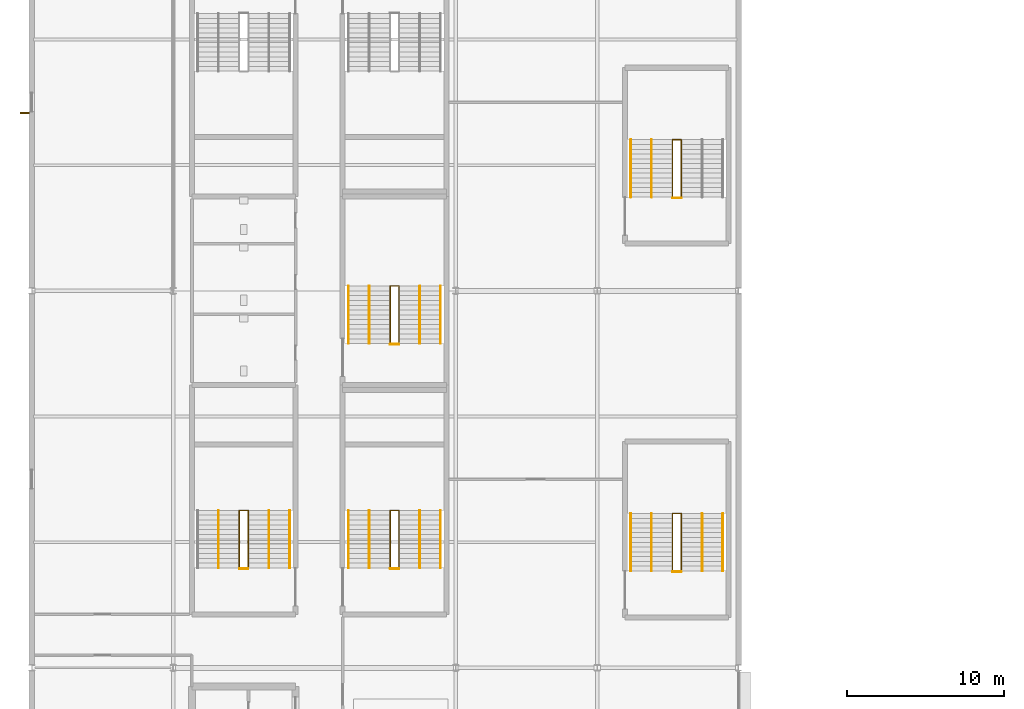
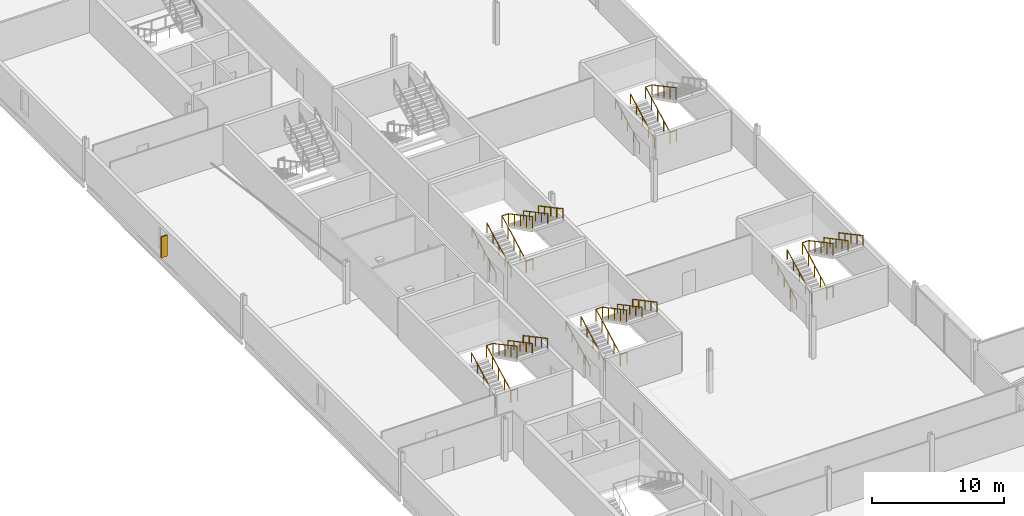
# One storey, part 90 of 98: 27 railings, 1 shading device.
"""IFC4 building model written with IfcOpenShell, lengths in metres."""

from ifc_helpers import new_model, si_unit, direction, frame, origin, origin_2d, place, context, subcontext, project, spatial, rectangle, circle, extrude, material, type_object, element, save


model = new_model("IFC4")

# Units and contexts
model_context = context("Model", 3, precision=1e-05, world=origin(), true_north=direction((0.0, 1.0)))
body_context = subcontext(model_context, "Body", "Model", "MODEL_VIEW")
ifc_project = project(units=[si_unit("LENGTHUNIT", "METRE"), si_unit("AREAUNIT", "SQUARE_METRE"), si_unit("VOLUMEUNIT", "CUBIC_METRE"), si_unit("PLANEANGLEUNIT", "RADIAN"), si_unit("MASSUNIT", "GRAM", prefix="KILO")], contexts=[model_context])

# Site, building, storey
site_placement = place(None, origin())
site = spatial("IfcSite", under=ifc_project, at=site_placement, CompositionType="ELEMENT")
building_placement = place(site_placement, origin())
building = spatial("IfcBuilding", under=site, at=building_placement, Name="Kisiwana Market Hall", CompositionType="ELEMENT")
storey_placement = place(building_placement, frame((0.0, 0.0, 29.39990234375)))
storey = spatial("IfcBuildingStorey", under=building, at=storey_placement, Name="L06", CompositionType="ELEMENT", Elevation=29.39990234375)

# Railings
ifc_material_1 = material(Name="Steel S275", Category="steel")
railing_type_1 = type_object("IfcRailingType", Name="RL-GUARD-1100", PredefinedType="GUARDRAIL", material=ifc_material_1)
railing_1_placement = place(storey_placement, frame((13.219970703125, 42.360107421875, 0.0)))
element("IfcRailing", 1, at=railing_1_placement, inside=storey, type_object=railing_type_1, Name="Stair ST-W3-L06 inner-well guardrail (RL-967)", PredefinedType="GUARDRAIL", context=body_context, shape_type="SweptSolid", body=[
    extrude(circle(Radius=0.02392578125, at=origin_2d()), frame((0.0, 0.0, 1.076171875), z_axis=(0.0, 0.882528880096, 0.470258201201), x_axis=(-1.0, 0.0, 0.0)), (0.0, 0.0, 1.0), 4.14697265625),
    extrude(circle(Radius=0.02392578125, at=origin_2d()), frame((0.0, 3.659912109375, 3.0263671875), z_axis=(1.0, 0.0, 0.0), x_axis=(0.0, 1.0, 0.0)), (0.0, 0.0, 1.0), 0.56005859375),
    extrude(circle(Radius=0.02392578125, at=origin_2d()), frame((0.56005859375, 3.659912109375, 3.0263671875), z_axis=(0.0, -0.88255331184, 0.47021234752), x_axis=(1.0, 0.0, 0.0)), (0.0, 0.0, 1.0), 4.14697265625),
    extrude(circle(Radius=0.02099609375, at=origin_2d()), origin(), (0.0, 0.0, 1.0), 1.052001953125),
    extrude(circle(Radius=0.02099609375, at=origin_2d()), frame((0.0, 0.9150390625, 0.487548828125)), (0.0, 0.0, 1.0), 1.052001953125),
    extrude(circle(Radius=0.02099609375, at=origin_2d()), frame((0.0, 1.830078125, 0.97509765625)), (0.0, 0.0, 1.0), 1.052001953125),
    extrude(circle(Radius=0.02099609375, at=origin_2d()), frame((0.0, 2.744873046875, 1.462646484375)), (0.0, 0.0, 1.0), 1.052001953125),
    extrude(circle(Radius=0.02099609375, at=origin_2d()), frame((0.0, 3.659912109375, 1.9501953125)), (0.0, 0.0, 1.0), 1.052001953125),
    extrude(circle(Radius=0.02099609375, at=origin_2d()), frame((0.56005859375, 3.659912109375, 1.9501953125)), (0.0, 0.0, 1.0), 1.052001953125),
    extrude(circle(Radius=0.02099609375, at=origin_2d()), frame((0.56005859375, 2.744873046875, 2.437744140625)), (0.0, 0.0, 1.0), 1.052001953125),
    extrude(circle(Radius=0.02099609375, at=origin_2d()), frame((0.56005859375, 1.830078125, 2.92529296875)), (0.0, 0.0, 1.0), 1.052001953125),
    extrude(circle(Radius=0.02099609375, at=origin_2d()), frame((0.56005859375, 0.9150390625, 3.41259765625)), (0.0, 0.0, 1.0), 1.052001953125),
    extrude(circle(Radius=0.02099609375, at=origin_2d()), frame((0.56005859375, 0.0, 3.900146484375)), (0.0, 0.0, 1.0), 1.052001953125),
])
railing_2_placement = place(storey_placement, frame((13.219970703125, 42.31005859375, 0.0)))
element("IfcRailing", 2, at=railing_2_placement, inside=storey, type_object=railing_type_1, Name="Stair ST-W3-L06 landing edge guardrail (RL-972)", PredefinedType="GUARDRAIL", context=body_context, shape_type="SweptSolid", body=[
    extrude(circle(Radius=0.02392578125, at=origin_2d()), frame((0.0, 0.0, 1.076171875), z_axis=(1.0, 0.0, 0.0), x_axis=(0.0, 1.0, 0.0)), (0.0, 0.0, 1.0), 0.56005859375),
    extrude(circle(Radius=0.02099609375, at=origin_2d()), origin(), (0.0, 0.0, 1.0), 1.052001953125),
    extrude(circle(Radius=0.02099609375, at=origin_2d()), frame((0.56005859375, 0.0, 0.0)), (0.0, 0.0, 1.0), 1.052001953125),
])
railing_3_placement = place(storey_placement, frame((22.820068359375, 42.360107421875, 0.0)))
element("IfcRailing", 3, at=railing_3_placement, inside=storey, type_object=railing_type_1, Name="Stair ST-W7-L06 inner-well guardrail (RL-991)", PredefinedType="GUARDRAIL", context=body_context, shape_type="SweptSolid", body=[
    extrude(circle(Radius=0.02392578125, at=origin_2d()), frame((0.0, 0.0, 1.076171875), z_axis=(0.0, 0.882528880096, 0.470258201201), x_axis=(-1.0, 0.0, 0.0)), (0.0, 0.0, 1.0), 4.14697265625),
    extrude(circle(Radius=0.02392578125, at=origin_2d()), frame((0.0, 3.659912109375, 3.0263671875), z_axis=(1.0, 0.0, 0.0), x_axis=(0.0, 1.0, 0.0)), (0.0, 0.0, 1.0), 0.559814453125),
    extrude(circle(Radius=0.02392578125, at=origin_2d()), frame((0.559814453125, 3.659912109375, 3.0263671875), z_axis=(0.0, -0.88255331184, 0.47021234752), x_axis=(1.0, 0.0, 0.0)), (0.0, 0.0, 1.0), 4.14697265625),
    extrude(circle(Radius=0.02099609375, at=origin_2d()), origin(), (0.0, 0.0, 1.0), 1.052001953125),
    extrude(circle(Radius=0.02099609375, at=origin_2d()), frame((0.0, 0.9150390625, 0.487548828125)), (0.0, 0.0, 1.0), 1.052001953125),
    extrude(circle(Radius=0.02099609375, at=origin_2d()), frame((0.0, 1.830078125, 0.97509765625)), (0.0, 0.0, 1.0), 1.052001953125),
    extrude(circle(Radius=0.02099609375, at=origin_2d()), frame((0.0, 2.744873046875, 1.462646484375)), (0.0, 0.0, 1.0), 1.052001953125),
    extrude(circle(Radius=0.02099609375, at=origin_2d()), frame((0.0, 3.659912109375, 1.9501953125)), (0.0, 0.0, 1.0), 1.052001953125),
    extrude(circle(Radius=0.02099609375, at=origin_2d()), frame((0.559814453125, 3.659912109375, 1.9501953125)), (0.0, 0.0, 1.0), 1.052001953125),
    extrude(circle(Radius=0.02099609375, at=origin_2d()), frame((0.559814453125, 2.744873046875, 2.437744140625)), (0.0, 0.0, 1.0), 1.052001953125),
    extrude(circle(Radius=0.02099609375, at=origin_2d()), frame((0.559814453125, 1.830078125, 2.92529296875)), (0.0, 0.0, 1.0), 1.052001953125),
    extrude(circle(Radius=0.02099609375, at=origin_2d()), frame((0.559814453125, 0.9150390625, 3.41259765625)), (0.0, 0.0, 1.0), 1.052001953125),
    extrude(circle(Radius=0.02099609375, at=origin_2d()), frame((0.559814453125, 0.0, 3.900146484375)), (0.0, 0.0, 1.0), 1.052001953125),
])
railing_4_placement = place(storey_placement, frame((22.820068359375, 42.31005859375, 0.0)))
element("IfcRailing", 4, at=railing_4_placement, inside=storey, type_object=railing_type_1, Name="Stair ST-W7-L06 landing edge guardrail (RL-996)", PredefinedType="GUARDRAIL", context=body_context, shape_type="SweptSolid", body=[
    extrude(circle(Radius=0.02392578125, at=origin_2d()), frame((0.0, 0.0, 1.076171875), z_axis=(1.0, 0.0, 0.0), x_axis=(0.0, 1.0, 0.0)), (0.0, 0.0, 1.0), 0.559814453125),
    extrude(circle(Radius=0.02099609375, at=origin_2d()), origin(), (0.0, 0.0, 1.0), 1.052001953125),
    extrude(circle(Radius=0.02099609375, at=origin_2d()), frame((0.559814453125, 0.0, 0.0)), (0.0, 0.0, 1.0), 1.052001953125),
])
railing_5_placement = place(storey_placement, frame((40.7900390625, 42.159912109375, 0.0)))
element("IfcRailing", 5, at=railing_5_placement, inside=storey, type_object=railing_type_1, Name="Stair ST-W9-L06 inner-well guardrail (RL-1015)", PredefinedType="GUARDRAIL", context=body_context, shape_type="SweptSolid", body=[
    extrude(circle(Radius=0.02392578125, at=origin_2d()), frame((0.0, 0.0, 1.076171875), z_axis=(0.0, 0.882541897885, 0.470233770031), x_axis=(-1.0, 0.0, 0.0)), (0.0, 0.0, 1.0), 4.147216796875),
    extrude(circle(Radius=0.02392578125, at=origin_2d()), frame((0.0, 3.66015625, 3.0263671875), z_axis=(1.0, 0.0, 0.0), x_axis=(0.0, 1.0, 0.0)), (0.0, 0.0, 1.0), 0.56005859375),
    extrude(circle(Radius=0.02392578125, at=origin_2d()), frame((0.56005859375, 3.66015625, 3.0263671875), z_axis=(0.0, -0.882566327451, 0.470187917379), x_axis=(1.0, 0.0, 0.0)), (0.0, 0.0, 1.0), 4.147216796875),
    extrude(circle(Radius=0.02099609375, at=origin_2d()), origin(), (0.0, 0.0, 1.0), 1.052001953125),
    extrude(circle(Radius=0.02099609375, at=origin_2d()), frame((0.0, 0.9150390625, 0.487548828125)), (0.0, 0.0, 1.0), 1.052001953125),
    extrude(circle(Radius=0.02099609375, at=origin_2d()), frame((0.0, 1.830078125, 0.97509765625)), (0.0, 0.0, 1.0), 1.052001953125),
    extrude(circle(Radius=0.02099609375, at=origin_2d()), frame((0.0, 2.7451171875, 1.462646484375)), (0.0, 0.0, 1.0), 1.052001953125),
    extrude(circle(Radius=0.02099609375, at=origin_2d()), frame((0.0, 3.66015625, 1.9501953125)), (0.0, 0.0, 1.0), 1.052001953125),
    extrude(circle(Radius=0.02099609375, at=origin_2d()), frame((0.56005859375, 3.66015625, 1.9501953125)), (0.0, 0.0, 1.0), 1.052001953125),
    extrude(circle(Radius=0.02099609375, at=origin_2d()), frame((0.56005859375, 2.7451171875, 2.437744140625)), (0.0, 0.0, 1.0), 1.052001953125),
    extrude(circle(Radius=0.02099609375, at=origin_2d()), frame((0.56005859375, 1.830078125, 2.92529296875)), (0.0, 0.0, 1.0), 1.052001953125),
    extrude(circle(Radius=0.02099609375, at=origin_2d()), frame((0.56005859375, 0.9150390625, 3.41259765625)), (0.0, 0.0, 1.0), 1.052001953125),
    extrude(circle(Radius=0.02099609375, at=origin_2d()), frame((0.56005859375, 0.0, 3.900146484375)), (0.0, 0.0, 1.0), 1.052001953125),
])
railing_6_placement = place(storey_placement, frame((40.7900390625, 42.110107421875, 0.0)))
element("IfcRailing", 6, at=railing_6_placement, inside=storey, type_object=railing_type_1, Name="Stair ST-W9-L06 landing edge guardrail (RL-1020)", PredefinedType="GUARDRAIL", context=body_context, shape_type="SweptSolid", body=[
    extrude(circle(Radius=0.02392578125, at=origin_2d()), frame((0.0, 0.0, 1.076171875), z_axis=(1.0, 0.0, 0.0), x_axis=(0.0, 1.0, 0.0)), (0.0, 0.0, 1.0), 0.56005859375),
    extrude(circle(Radius=0.02099609375, at=origin_2d()), origin(), (0.0, 0.0, 1.0), 1.052001953125),
    extrude(circle(Radius=0.02099609375, at=origin_2d()), frame((0.56005859375, 0.0, 0.0)), (0.0, 0.0, 1.0), 1.052001953125),
])
railing_7_placement = place(storey_placement, frame((40.7900390625, 65.9599609375, 0.0)))
element("IfcRailing", 7, at=railing_7_placement, inside=storey, type_object=railing_type_1, Name="Stair ST-W10-L06 inner-well guardrail (RL-1027)", PredefinedType="GUARDRAIL", context=body_context, shape_type="SweptSolid", body=[
    extrude(circle(Radius=0.02392578125, at=origin_2d()), frame((0.0, 0.0, 1.076171875), z_axis=(0.0, 0.882541897885, 0.470233770031), x_axis=(-1.0, 0.0, 0.0)), (0.0, 0.0, 1.0), 4.147216796875),
    extrude(circle(Radius=0.02392578125, at=origin_2d()), frame((0.0, 3.66015625, 3.0263671875), z_axis=(1.0, 0.0, 0.0), x_axis=(0.0, 1.0, 0.0)), (0.0, 0.0, 1.0), 0.56005859375),
    extrude(circle(Radius=0.02392578125, at=origin_2d()), frame((0.56005859375, 3.66015625, 3.0263671875), z_axis=(0.0, -0.882566327451, 0.470187917379), x_axis=(1.0, 0.0, 0.0)), (0.0, 0.0, 1.0), 4.147216796875),
    extrude(circle(Radius=0.02099609375, at=origin_2d()), origin(), (0.0, 0.0, 1.0), 1.052001953125),
    extrude(circle(Radius=0.02099609375, at=origin_2d()), frame((0.0, 0.9150390625, 0.487548828125)), (0.0, 0.0, 1.0), 1.052001953125),
    extrude(circle(Radius=0.02099609375, at=origin_2d()), frame((0.0, 1.830078125, 0.97509765625)), (0.0, 0.0, 1.0), 1.052001953125),
    extrude(circle(Radius=0.02099609375, at=origin_2d()), frame((0.0, 2.7451171875, 1.462646484375)), (0.0, 0.0, 1.0), 1.052001953125),
    extrude(circle(Radius=0.02099609375, at=origin_2d()), frame((0.0, 3.66015625, 1.9501953125)), (0.0, 0.0, 1.0), 1.052001953125),
    extrude(circle(Radius=0.02099609375, at=origin_2d()), frame((0.56005859375, 3.66015625, 1.9501953125)), (0.0, 0.0, 1.0), 1.052001953125),
    extrude(circle(Radius=0.02099609375, at=origin_2d()), frame((0.56005859375, 2.7451171875, 2.437744140625)), (0.0, 0.0, 1.0), 1.052001953125),
    extrude(circle(Radius=0.02099609375, at=origin_2d()), frame((0.56005859375, 1.830078125, 2.92529296875)), (0.0, 0.0, 1.0), 1.052001953125),
    extrude(circle(Radius=0.02099609375, at=origin_2d()), frame((0.56005859375, 0.9150390625, 3.41259765625)), (0.0, 0.0, 1.0), 1.052001953125),
    extrude(circle(Radius=0.02099609375, at=origin_2d()), frame((0.56005859375, 0.0, 3.900146484375)), (0.0, 0.0, 1.0), 1.052001953125),
])
railing_8_placement = place(storey_placement, frame((40.7900390625, 65.909912109375, 0.0)))
element("IfcRailing", 8, at=railing_8_placement, inside=storey, type_object=railing_type_1, Name="Stair ST-W10-L06 landing edge guardrail (RL-1032)", PredefinedType="GUARDRAIL", context=body_context, shape_type="SweptSolid", body=[
    extrude(circle(Radius=0.02392578125, at=origin_2d()), frame((0.0, 0.0, 1.076171875), z_axis=(1.0, 0.0, 0.0), x_axis=(0.0, 1.0, 0.0)), (0.0, 0.0, 1.0), 0.56005859375),
    extrude(circle(Radius=0.02099609375, at=origin_2d()), origin(), (0.0, 0.0, 1.0), 1.052001953125),
    extrude(circle(Radius=0.02099609375, at=origin_2d()), frame((0.56005859375, 0.0, 0.0)), (0.0, 0.0, 1.0), 1.052001953125),
])
railing_9_placement = place(storey_placement, frame((22.820068359375, 56.639892578125, 0.0)))
element("IfcRailing", 9, at=railing_9_placement, inside=storey, type_object=railing_type_1, Name="Stair ST-W5-L06 inner-well guardrail (RL-1039)", PredefinedType="GUARDRAIL", context=body_context, shape_type="SweptSolid", body=[
    extrude(circle(Radius=0.02392578125, at=origin_2d()), frame((0.0, 0.0, 1.076171875), z_axis=(0.0, 0.882541897885, 0.470233770031), x_axis=(-1.0, 0.0, 0.0)), (0.0, 0.0, 1.0), 4.147216796875),
    extrude(circle(Radius=0.02392578125, at=origin_2d()), frame((0.0, 3.66015625, 3.0263671875), z_axis=(1.0, 0.0, 0.0), x_axis=(0.0, 1.0, 0.0)), (0.0, 0.0, 1.0), 0.559814453125),
    extrude(circle(Radius=0.02392578125, at=origin_2d()), frame((0.559814453125, 3.66015625, 3.0263671875), z_axis=(0.0, -0.882566327451, 0.470187917379), x_axis=(1.0, 0.0, 0.0)), (0.0, 0.0, 1.0), 4.147216796875),
    extrude(circle(Radius=0.02099609375, at=origin_2d()), origin(), (0.0, 0.0, 1.0), 1.052001953125),
    extrude(circle(Radius=0.02099609375, at=origin_2d()), frame((0.0, 0.9150390625, 0.487548828125)), (0.0, 0.0, 1.0), 1.052001953125),
    extrude(circle(Radius=0.02099609375, at=origin_2d()), frame((0.0, 1.830078125, 0.97509765625)), (0.0, 0.0, 1.0), 1.052001953125),
    extrude(circle(Radius=0.02099609375, at=origin_2d()), frame((0.0, 2.7451171875, 1.462646484375)), (0.0, 0.0, 1.0), 1.052001953125),
    extrude(circle(Radius=0.02099609375, at=origin_2d()), frame((0.0, 3.66015625, 1.9501953125)), (0.0, 0.0, 1.0), 1.052001953125),
    extrude(circle(Radius=0.02099609375, at=origin_2d()), frame((0.559814453125, 3.66015625, 1.9501953125)), (0.0, 0.0, 1.0), 1.052001953125),
    extrude(circle(Radius=0.02099609375, at=origin_2d()), frame((0.559814453125, 2.7451171875, 2.437744140625)), (0.0, 0.0, 1.0), 1.052001953125),
    extrude(circle(Radius=0.02099609375, at=origin_2d()), frame((0.559814453125, 1.830078125, 2.92529296875)), (0.0, 0.0, 1.0), 1.052001953125),
    extrude(circle(Radius=0.02099609375, at=origin_2d()), frame((0.559814453125, 0.9150390625, 3.41259765625)), (0.0, 0.0, 1.0), 1.052001953125),
    extrude(circle(Radius=0.02099609375, at=origin_2d()), frame((0.559814453125, 0.0, 3.900146484375)), (0.0, 0.0, 1.0), 1.052001953125),
])
railing_10_placement = place(storey_placement, frame((22.820068359375, 56.590087890625, 0.0)))
element("IfcRailing", 10, at=railing_10_placement, inside=storey, type_object=railing_type_1, Name="Stair ST-W5-L06 landing edge guardrail (RL-1044)", PredefinedType="GUARDRAIL", context=body_context, shape_type="SweptSolid", body=[
    extrude(circle(Radius=0.02392578125, at=origin_2d()), frame((0.0, 0.0, 1.076171875), z_axis=(1.0, 0.0, 0.0), x_axis=(0.0, 1.0, 0.0)), (0.0, 0.0, 1.0), 0.559814453125),
    extrude(circle(Radius=0.02099609375, at=origin_2d()), origin(), (0.0, 0.0, 1.0), 1.052001953125),
    extrude(circle(Radius=0.02099609375, at=origin_2d()), frame((0.559814453125, 0.0, 0.0)), (0.0, 0.0, 1.0), 1.052001953125),
])
ifc_material_2 = material(Name="Steel S275", Category="steel")
railing_type_2 = type_object("IfcRailingType", Name="RL-HAND-900", PredefinedType="HANDRAIL", material=ifc_material_2)
railing_11_placement = place(storey_placement, frame((16.429931640625, 46.02001953125, 1.9501953125)))
element("IfcRailing", 11, at=railing_11_placement, inside=storey, type_object=railing_type_2, Name="Stair ST-W3-L06 flight 2 handrail (RL-969)", PredefinedType="HANDRAIL", context=body_context, shape_type="SweptSolid", body=[
    extrude(circle(Radius=0.02392578125, at=origin_2d()), frame((0.0, 0.0, 0.8759765625), z_axis=(0.0, -0.88255331184, 0.47021234752), x_axis=(1.0, 0.0, 0.0)), (0.0, 0.0, 1.0), 4.14697265625),
    extrude(circle(Radius=0.02099609375, at=origin_2d()), origin(), (0.0, 0.0, 1.0), 0.851806640625),
    extrude(circle(Radius=0.02099609375, at=origin_2d()), frame((0.0, -0.9150390625, 0.487548828125)), (0.0, 0.0, 1.0), 0.851806640625),
    extrude(circle(Radius=0.02099609375, at=origin_2d()), frame((0.0, -1.830078125, 0.97509765625)), (0.0, 0.0, 1.0), 0.851806640625),
    extrude(circle(Radius=0.02099609375, at=origin_2d()), frame((0.0, -2.744873046875, 1.46240234375)), (0.0, 0.0, 1.0), 0.851806640625),
    extrude(circle(Radius=0.02099609375, at=origin_2d()), frame((0.0, -3.659912109375, 1.949951171875)), (0.0, 0.0, 1.0), 0.851806640625),
])
railing_12_placement = place(storey_placement, frame((11.889892578125, 42.360107421875, 0.0)))
element("IfcRailing", 12, at=railing_12_placement, inside=storey, type_object=railing_type_2, Name="Stair ST-W3-L06 flight 1 intermediate handrail (RL-970)", PredefinedType="HANDRAIL", context=body_context, shape_type="SweptSolid", body=[
    extrude(circle(Radius=0.02392578125, at=origin_2d()), frame((0.0, 0.0, 0.8759765625), z_axis=(0.0, 0.882528880096, 0.470258201201), x_axis=(-1.0, 0.0, 0.0)), (0.0, 0.0, 1.0), 4.14697265625),
    extrude(circle(Radius=0.02099609375, at=origin_2d()), origin(), (0.0, 0.0, 1.0), 0.851806640625),
    extrude(circle(Radius=0.02099609375, at=origin_2d()), frame((0.0, 0.9150390625, 0.487548828125)), (0.0, 0.0, 1.0), 0.851806640625),
    extrude(circle(Radius=0.02099609375, at=origin_2d()), frame((0.0, 1.830078125, 0.97509765625)), (0.0, 0.0, 1.0), 0.851806640625),
    extrude(circle(Radius=0.02099609375, at=origin_2d()), frame((0.0, 2.744873046875, 1.462646484375)), (0.0, 0.0, 1.0), 0.851806640625),
    extrude(circle(Radius=0.02099609375, at=origin_2d()), frame((0.0, 3.659912109375, 1.9501953125)), (0.0, 0.0, 1.0), 0.851806640625),
])
railing_13_placement = place(storey_placement, frame((15.110107421875, 46.02001953125, 1.9501953125)))
element("IfcRailing", 13, at=railing_13_placement, inside=storey, type_object=railing_type_2, Name="Stair ST-W3-L06 flight 2 intermediate handrail (RL-971)", PredefinedType="HANDRAIL", context=body_context, shape_type="SweptSolid", body=[
    extrude(circle(Radius=0.02392578125, at=origin_2d()), frame((0.0, 0.0, 0.8759765625), z_axis=(0.0, -0.88255331184, 0.47021234752), x_axis=(1.0, 0.0, 0.0)), (0.0, 0.0, 1.0), 4.14697265625),
    extrude(circle(Radius=0.02099609375, at=origin_2d()), origin(), (0.0, 0.0, 1.0), 0.851806640625),
    extrude(circle(Radius=0.02099609375, at=origin_2d()), frame((0.0, -0.9150390625, 0.487548828125)), (0.0, 0.0, 1.0), 0.851806640625),
    extrude(circle(Radius=0.02099609375, at=origin_2d()), frame((0.0, -1.830078125, 0.97509765625)), (0.0, 0.0, 1.0), 0.851806640625),
    extrude(circle(Radius=0.02099609375, at=origin_2d()), frame((0.0, -2.744873046875, 1.46240234375)), (0.0, 0.0, 1.0), 0.851806640625),
    extrude(circle(Radius=0.02099609375, at=origin_2d()), frame((0.0, -3.659912109375, 1.949951171875)), (0.0, 0.0, 1.0), 0.851806640625),
])
railing_14_placement = place(storey_placement, frame((20.169921875, 42.360107421875, 0.0)))
element("IfcRailing", 14, at=railing_14_placement, inside=storey, type_object=railing_type_2, Name="Stair ST-W7-L06 flight 1 handrail (RL-992)", PredefinedType="HANDRAIL", context=body_context, shape_type="SweptSolid", body=[
    extrude(circle(Radius=0.02392578125, at=origin_2d()), frame((0.0, 0.0, 0.8759765625), z_axis=(0.0, 0.882528880096, 0.470258201201), x_axis=(-1.0, 0.0, 0.0)), (0.0, 0.0, 1.0), 4.14697265625),
    extrude(circle(Radius=0.02099609375, at=origin_2d()), origin(), (0.0, 0.0, 1.0), 0.851806640625),
    extrude(circle(Radius=0.02099609375, at=origin_2d()), frame((0.0, 0.9150390625, 0.487548828125)), (0.0, 0.0, 1.0), 0.851806640625),
    extrude(circle(Radius=0.02099609375, at=origin_2d()), frame((0.0, 1.830078125, 0.97509765625)), (0.0, 0.0, 1.0), 0.851806640625),
    extrude(circle(Radius=0.02099609375, at=origin_2d()), frame((0.0, 2.744873046875, 1.462646484375)), (0.0, 0.0, 1.0), 0.851806640625),
    extrude(circle(Radius=0.02099609375, at=origin_2d()), frame((0.0, 3.659912109375, 1.9501953125)), (0.0, 0.0, 1.0), 0.851806640625),
])
railing_15_placement = place(storey_placement, frame((26.030029296875, 46.02001953125, 1.9501953125)))
element("IfcRailing", 15, at=railing_15_placement, inside=storey, type_object=railing_type_2, Name="Stair ST-W7-L06 flight 2 handrail (RL-993)", PredefinedType="HANDRAIL", context=body_context, shape_type="SweptSolid", body=[
    extrude(circle(Radius=0.02392578125, at=origin_2d()), frame((0.0, 0.0, 0.8759765625), z_axis=(0.0, -0.88255331184, 0.47021234752), x_axis=(1.0, 0.0, 0.0)), (0.0, 0.0, 1.0), 4.14697265625),
    extrude(circle(Radius=0.02099609375, at=origin_2d()), origin(), (0.0, 0.0, 1.0), 0.851806640625),
    extrude(circle(Radius=0.02099609375, at=origin_2d()), frame((0.0, -0.9150390625, 0.487548828125)), (0.0, 0.0, 1.0), 0.851806640625),
    extrude(circle(Radius=0.02099609375, at=origin_2d()), frame((0.0, -1.830078125, 0.97509765625)), (0.0, 0.0, 1.0), 0.851806640625),
    extrude(circle(Radius=0.02099609375, at=origin_2d()), frame((0.0, -2.744873046875, 1.46240234375)), (0.0, 0.0, 1.0), 0.851806640625),
    extrude(circle(Radius=0.02099609375, at=origin_2d()), frame((0.0, -3.659912109375, 1.949951171875)), (0.0, 0.0, 1.0), 0.851806640625),
])
railing_16_placement = place(storey_placement, frame((21.489990234375, 42.360107421875, 0.0)))
element("IfcRailing", 16, at=railing_16_placement, inside=storey, type_object=railing_type_2, Name="Stair ST-W7-L06 flight 1 intermediate handrail (RL-994)", PredefinedType="HANDRAIL", context=body_context, shape_type="SweptSolid", body=[
    extrude(circle(Radius=0.02392578125, at=origin_2d()), frame((0.0, 0.0, 0.8759765625), z_axis=(0.0, 0.882528880096, 0.470258201201), x_axis=(-1.0, 0.0, 0.0)), (0.0, 0.0, 1.0), 4.14697265625),
    extrude(circle(Radius=0.02099609375, at=origin_2d()), origin(), (0.0, 0.0, 1.0), 0.851806640625),
    extrude(circle(Radius=0.02099609375, at=origin_2d()), frame((0.0, 0.9150390625, 0.487548828125)), (0.0, 0.0, 1.0), 0.851806640625),
    extrude(circle(Radius=0.02099609375, at=origin_2d()), frame((0.0, 1.830078125, 0.97509765625)), (0.0, 0.0, 1.0), 0.851806640625),
    extrude(circle(Radius=0.02099609375, at=origin_2d()), frame((0.0, 2.744873046875, 1.462646484375)), (0.0, 0.0, 1.0), 0.851806640625),
    extrude(circle(Radius=0.02099609375, at=origin_2d()), frame((0.0, 3.659912109375, 1.9501953125)), (0.0, 0.0, 1.0), 0.851806640625),
])
railing_17_placement = place(storey_placement, frame((24.7099609375, 46.02001953125, 1.9501953125)))
element("IfcRailing", 17, at=railing_17_placement, inside=storey, type_object=railing_type_2, Name="Stair ST-W7-L06 flight 2 intermediate handrail (RL-995)", PredefinedType="HANDRAIL", context=body_context, shape_type="SweptSolid", body=[
    extrude(circle(Radius=0.02392578125, at=origin_2d()), frame((0.0, 0.0, 0.8759765625), z_axis=(0.0, -0.88255331184, 0.47021234752), x_axis=(1.0, 0.0, 0.0)), (0.0, 0.0, 1.0), 4.14697265625),
    extrude(circle(Radius=0.02099609375, at=origin_2d()), origin(), (0.0, 0.0, 1.0), 0.851806640625),
    extrude(circle(Radius=0.02099609375, at=origin_2d()), frame((0.0, -0.9150390625, 0.487548828125)), (0.0, 0.0, 1.0), 0.851806640625),
    extrude(circle(Radius=0.02099609375, at=origin_2d()), frame((0.0, -1.830078125, 0.97509765625)), (0.0, 0.0, 1.0), 0.851806640625),
    extrude(circle(Radius=0.02099609375, at=origin_2d()), frame((0.0, -2.744873046875, 1.46240234375)), (0.0, 0.0, 1.0), 0.851806640625),
    extrude(circle(Radius=0.02099609375, at=origin_2d()), frame((0.0, -3.659912109375, 1.949951171875)), (0.0, 0.0, 1.0), 0.851806640625),
])
railing_18_placement = place(storey_placement, frame((38.139892578125, 42.159912109375, 0.0)))
element("IfcRailing", 18, at=railing_18_placement, inside=storey, type_object=railing_type_2, Name="Stair ST-W9-L06 flight 1 handrail (RL-1016)", PredefinedType="HANDRAIL", context=body_context, shape_type="SweptSolid", body=[
    extrude(circle(Radius=0.02392578125, at=origin_2d()), frame((0.0, 0.0, 0.8759765625), z_axis=(0.0, 0.882541897885, 0.470233770031), x_axis=(-1.0, 0.0, 0.0)), (0.0, 0.0, 1.0), 4.147216796875),
    extrude(circle(Radius=0.02099609375, at=origin_2d()), origin(), (0.0, 0.0, 1.0), 0.851806640625),
    extrude(circle(Radius=0.02099609375, at=origin_2d()), frame((0.0, 0.9150390625, 0.487548828125)), (0.0, 0.0, 1.0), 0.851806640625),
    extrude(circle(Radius=0.02099609375, at=origin_2d()), frame((0.0, 1.830078125, 0.97509765625)), (0.0, 0.0, 1.0), 0.851806640625),
    extrude(circle(Radius=0.02099609375, at=origin_2d()), frame((0.0, 2.7451171875, 1.462646484375)), (0.0, 0.0, 1.0), 0.851806640625),
    extrude(circle(Radius=0.02099609375, at=origin_2d()), frame((0.0, 3.66015625, 1.9501953125)), (0.0, 0.0, 1.0), 0.851806640625),
])
railing_19_placement = place(storey_placement, frame((44.0, 45.820068359375, 1.9501953125)))
element("IfcRailing", 19, at=railing_19_placement, inside=storey, type_object=railing_type_2, Name="Stair ST-W9-L06 flight 2 handrail (RL-1017)", PredefinedType="HANDRAIL", context=body_context, shape_type="SweptSolid", body=[
    extrude(circle(Radius=0.02392578125, at=origin_2d()), frame((0.0, 0.0, 0.8759765625), z_axis=(0.0, -0.882566327451, 0.470187917379), x_axis=(1.0, 0.0, 0.0)), (0.0, 0.0, 1.0), 4.147216796875),
    extrude(circle(Radius=0.02099609375, at=origin_2d()), origin(), (0.0, 0.0, 1.0), 0.851806640625),
    extrude(circle(Radius=0.02099609375, at=origin_2d()), frame((0.0, -0.9150390625, 0.487548828125)), (0.0, 0.0, 1.0), 0.851806640625),
    extrude(circle(Radius=0.02099609375, at=origin_2d()), frame((0.0, -1.830078125, 0.97509765625)), (0.0, 0.0, 1.0), 0.851806640625),
    extrude(circle(Radius=0.02099609375, at=origin_2d()), frame((0.0, -2.7451171875, 1.46240234375)), (0.0, 0.0, 1.0), 0.851806640625),
    extrude(circle(Radius=0.02099609375, at=origin_2d()), frame((0.0, -3.66015625, 1.949951171875)), (0.0, 0.0, 1.0), 0.851806640625),
])
railing_20_placement = place(storey_placement, frame((39.4599609375, 42.159912109375, 0.0)))
element("IfcRailing", 20, at=railing_20_placement, inside=storey, type_object=railing_type_2, Name="Stair ST-W9-L06 flight 1 intermediate handrail (RL-1018)", PredefinedType="HANDRAIL", context=body_context, shape_type="SweptSolid", body=[
    extrude(circle(Radius=0.02392578125, at=origin_2d()), frame((0.0, 0.0, 0.8759765625), z_axis=(0.0, 0.882541897885, 0.470233770031), x_axis=(-1.0, 0.0, 0.0)), (0.0, 0.0, 1.0), 4.147216796875),
    extrude(circle(Radius=0.02099609375, at=origin_2d()), origin(), (0.0, 0.0, 1.0), 0.851806640625),
    extrude(circle(Radius=0.02099609375, at=origin_2d()), frame((0.0, 0.9150390625, 0.487548828125)), (0.0, 0.0, 1.0), 0.851806640625),
    extrude(circle(Radius=0.02099609375, at=origin_2d()), frame((0.0, 1.830078125, 0.97509765625)), (0.0, 0.0, 1.0), 0.851806640625),
    extrude(circle(Radius=0.02099609375, at=origin_2d()), frame((0.0, 2.7451171875, 1.462646484375)), (0.0, 0.0, 1.0), 0.851806640625),
    extrude(circle(Radius=0.02099609375, at=origin_2d()), frame((0.0, 3.66015625, 1.9501953125)), (0.0, 0.0, 1.0), 0.851806640625),
])
railing_21_placement = place(storey_placement, frame((42.679931640625, 45.820068359375, 1.9501953125)))
element("IfcRailing", 21, at=railing_21_placement, inside=storey, type_object=railing_type_2, Name="Stair ST-W9-L06 flight 2 intermediate handrail (RL-1019)", PredefinedType="HANDRAIL", context=body_context, shape_type="SweptSolid", body=[
    extrude(circle(Radius=0.02392578125, at=origin_2d()), frame((0.0, 0.0, 0.8759765625), z_axis=(0.0, -0.882566327451, 0.470187917379), x_axis=(1.0, 0.0, 0.0)), (0.0, 0.0, 1.0), 4.147216796875),
    extrude(circle(Radius=0.02099609375, at=origin_2d()), origin(), (0.0, 0.0, 1.0), 0.851806640625),
    extrude(circle(Radius=0.02099609375, at=origin_2d()), frame((0.0, -0.9150390625, 0.487548828125)), (0.0, 0.0, 1.0), 0.851806640625),
    extrude(circle(Radius=0.02099609375, at=origin_2d()), frame((0.0, -1.830078125, 0.97509765625)), (0.0, 0.0, 1.0), 0.851806640625),
    extrude(circle(Radius=0.02099609375, at=origin_2d()), frame((0.0, -2.7451171875, 1.46240234375)), (0.0, 0.0, 1.0), 0.851806640625),
    extrude(circle(Radius=0.02099609375, at=origin_2d()), frame((0.0, -3.66015625, 1.949951171875)), (0.0, 0.0, 1.0), 0.851806640625),
])
for number, where, name in (
    (22, (38.139892578125, 65.9599609375, 0.0), "Stair ST-W10-L06 flight 1 handrail (RL-1028)"),
    (23, (39.4599609375, 65.9599609375, 0.0), "Stair ST-W10-L06 flight 1 intermediate handrail (RL-1030)"),
    (24, (20.169921875, 56.639892578125, 0.0), "Stair ST-W5-L06 flight 1 handrail (RL-1040)"),
):
    element("IfcRailing", number, at=place(storey_placement, frame(where)), inside=storey, type_object=railing_type_2, Name=name, PredefinedType="HANDRAIL", context=body_context, shape_type="SweptSolid", body=[
        extrude(circle(Radius=0.02392578125, at=origin_2d()), frame((0.0, 0.0, 0.8759765625), z_axis=(0.0, 0.882541897885, 0.470233770031), x_axis=(-1.0, 0.0, 0.0)), (0.0, 0.0, 1.0), 4.147216796875),
        extrude(circle(Radius=0.02099609375, at=origin_2d()), origin(), (0.0, 0.0, 1.0), 0.851806640625),
        extrude(circle(Radius=0.02099609375, at=origin_2d()), frame((0.0, 0.9150390625, 0.487548828125)), (0.0, 0.0, 1.0), 0.851806640625),
        extrude(circle(Radius=0.02099609375, at=origin_2d()), frame((0.0, 1.830078125, 0.97509765625)), (0.0, 0.0, 1.0), 0.851806640625),
        extrude(circle(Radius=0.02099609375, at=origin_2d()), frame((0.0, 2.7451171875, 1.462646484375)), (0.0, 0.0, 1.0), 0.851806640625),
        extrude(circle(Radius=0.02099609375, at=origin_2d()), frame((0.0, 3.66015625, 1.9501953125)), (0.0, 0.0, 1.0), 0.851806640625),
    ])
railing_22_placement = place(storey_placement, frame((26.030029296875, 60.300048828125, 1.9501953125)))
element("IfcRailing", 25, at=railing_22_placement, inside=storey, type_object=railing_type_2, Name="Stair ST-W5-L06 flight 2 handrail (RL-1041)", PredefinedType="HANDRAIL", context=body_context, shape_type="SweptSolid", body=[
    extrude(circle(Radius=0.02392578125, at=origin_2d()), frame((0.0, 0.0, 0.8759765625), z_axis=(0.0, -0.882566327451, 0.470187917379), x_axis=(1.0, 0.0, 0.0)), (0.0, 0.0, 1.0), 4.147216796875),
    extrude(circle(Radius=0.02099609375, at=origin_2d()), origin(), (0.0, 0.0, 1.0), 0.851806640625),
    extrude(circle(Radius=0.02099609375, at=origin_2d()), frame((0.0, -0.9150390625, 0.487548828125)), (0.0, 0.0, 1.0), 0.851806640625),
    extrude(circle(Radius=0.02099609375, at=origin_2d()), frame((0.0, -1.830078125, 0.97509765625)), (0.0, 0.0, 1.0), 0.851806640625),
    extrude(circle(Radius=0.02099609375, at=origin_2d()), frame((0.0, -2.7451171875, 1.46240234375)), (0.0, 0.0, 1.0), 0.851806640625),
    extrude(circle(Radius=0.02099609375, at=origin_2d()), frame((0.0, -3.66015625, 1.949951171875)), (0.0, 0.0, 1.0), 0.851806640625),
])
railing_23_placement = place(storey_placement, frame((21.489990234375, 56.639892578125, 0.0)))
element("IfcRailing", 26, at=railing_23_placement, inside=storey, type_object=railing_type_2, Name="Stair ST-W5-L06 flight 1 intermediate handrail (RL-1042)", PredefinedType="HANDRAIL", context=body_context, shape_type="SweptSolid", body=[
    extrude(circle(Radius=0.02392578125, at=origin_2d()), frame((0.0, 0.0, 0.8759765625), z_axis=(0.0, 0.882541897885, 0.470233770031), x_axis=(-1.0, 0.0, 0.0)), (0.0, 0.0, 1.0), 4.147216796875),
    extrude(circle(Radius=0.02099609375, at=origin_2d()), origin(), (0.0, 0.0, 1.0), 0.851806640625),
    extrude(circle(Radius=0.02099609375, at=origin_2d()), frame((0.0, 0.9150390625, 0.487548828125)), (0.0, 0.0, 1.0), 0.851806640625),
    extrude(circle(Radius=0.02099609375, at=origin_2d()), frame((0.0, 1.830078125, 0.97509765625)), (0.0, 0.0, 1.0), 0.851806640625),
    extrude(circle(Radius=0.02099609375, at=origin_2d()), frame((0.0, 2.7451171875, 1.462646484375)), (0.0, 0.0, 1.0), 0.851806640625),
    extrude(circle(Radius=0.02099609375, at=origin_2d()), frame((0.0, 3.66015625, 1.9501953125)), (0.0, 0.0, 1.0), 0.851806640625),
])
railing_24_placement = place(storey_placement, frame((24.7099609375, 60.300048828125, 1.9501953125)))
element("IfcRailing", 27, at=railing_24_placement, inside=storey, type_object=railing_type_2, Name="Stair ST-W5-L06 flight 2 intermediate handrail (RL-1043)", PredefinedType="HANDRAIL", context=body_context, shape_type="SweptSolid", body=[
    extrude(circle(Radius=0.02392578125, at=origin_2d()), frame((0.0, 0.0, 0.8759765625), z_axis=(0.0, -0.882566327451, 0.470187917379), x_axis=(1.0, 0.0, 0.0)), (0.0, 0.0, 1.0), 4.147216796875),
    extrude(circle(Radius=0.02099609375, at=origin_2d()), origin(), (0.0, 0.0, 1.0), 0.851806640625),
    extrude(circle(Radius=0.02099609375, at=origin_2d()), frame((0.0, -0.9150390625, 0.487548828125)), (0.0, 0.0, 1.0), 0.851806640625),
    extrude(circle(Radius=0.02099609375, at=origin_2d()), frame((0.0, -1.830078125, 0.97509765625)), (0.0, 0.0, 1.0), 0.851806640625),
    extrude(circle(Radius=0.02099609375, at=origin_2d()), frame((0.0, -2.7451171875, 1.46240234375)), (0.0, 0.0, 1.0), 0.851806640625),
    extrude(circle(Radius=0.02099609375, at=origin_2d()), frame((0.0, -3.66015625, 1.949951171875)), (0.0, 0.0, 1.0), 0.851806640625),
])

# Shading device
ifc_material_3 = material(Name="Aluminium alloy 6063-T6", Category="aluminium")
shading_device_type = type_object("IfcShadingDeviceType", Name="SHD-SHUTTER-V", PredefinedType="SHUTTER", material=ifc_material_3)
shading_device_placement = place(storey_placement, frame((-0.445068359375, 71.320068359375, 0.7001953125), z_axis=(0.0, 0.0, 1.0), x_axis=(0.0, 1.0, 0.0)))
element("IfcShadingDevice", 28, at=shading_device_placement, inside=storey, type_object=shading_device_type, Name="Vertical solar fin SHD-143 SD-143", PredefinedType="SHUTTER", context=body_context, shape_type="SweptSolid", body=[
    extrude(rectangle(XDim=0.1201171875, YDim=0.550048828125, at=origin_2d()), origin(), (0.0, 0.0, 1.0), 1.949951171875),
])

save(model, "model.ifc")
